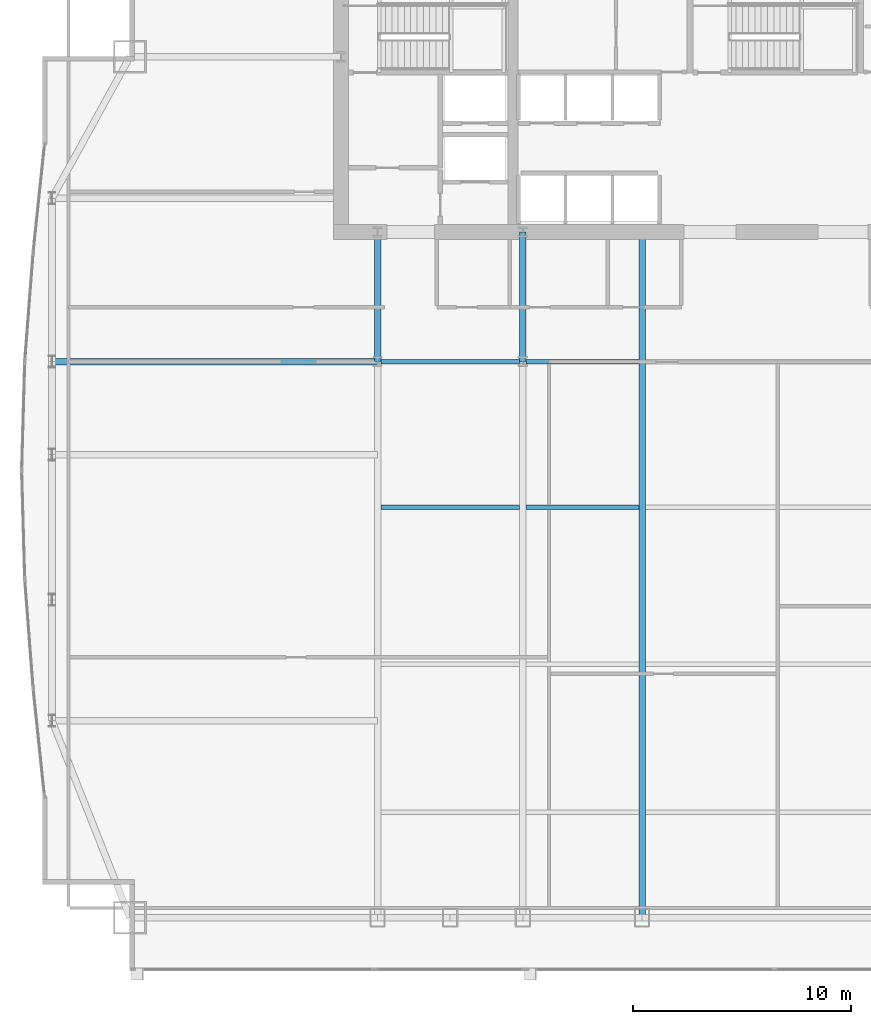
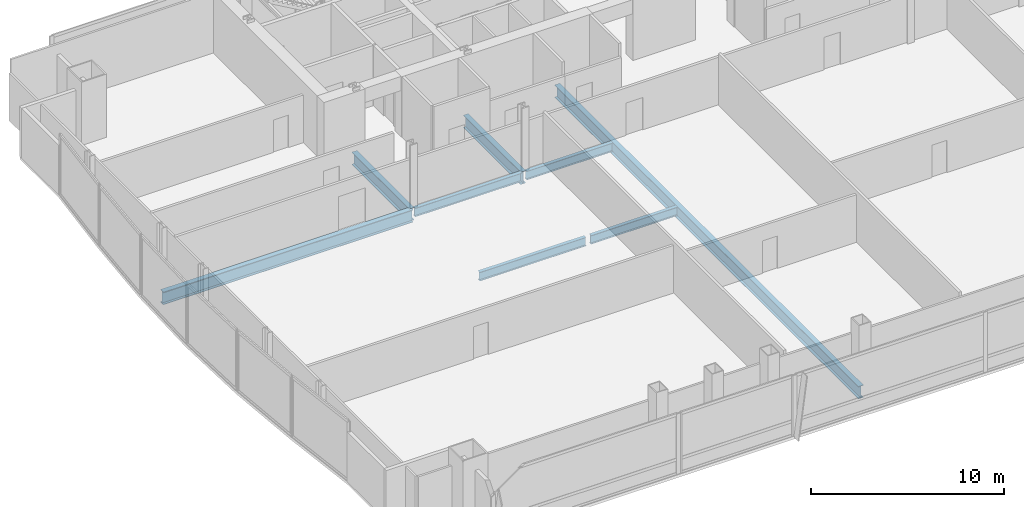
# One storey, part 12 of 30: 8 beams.
"""IFC4 building model written with IfcOpenShell, lengths in metres."""

from ifc_helpers import new_model, si_unit, direction, frame, origin, origin_2d, place, context, subcontext, project, spatial, i_section, extrude, material, material_profile, profile_set, type_object, element, save


model = new_model("IFC4")

# Units and contexts
model_context = context("Model", 3, precision=1e-05, world=origin(), true_north=direction((0.0, 1.0)))
body_context = subcontext(model_context, "Body", "Model", "MODEL_VIEW")
ifc_project = project(units=[si_unit("LENGTHUNIT", "METRE"), si_unit("AREAUNIT", "SQUARE_METRE"), si_unit("VOLUMEUNIT", "CUBIC_METRE"), si_unit("PLANEANGLEUNIT", "RADIAN"), si_unit("MASSUNIT", "GRAM", prefix="KILO")], contexts=[model_context])

# Site, building, storey
site_placement = place(None, origin())
site = spatial("IfcSite", under=ifc_project, at=site_placement, CompositionType="ELEMENT")
building_placement = place(site_placement, origin())
building = spatial("IfcBuilding", under=site, at=building_placement, Name="Khoronbel Lancet Exchange", CompositionType="ELEMENT")
storey_placement = place(building_placement, frame((0.0, 0.0, 98.60009765625)))
storey = spatial("IfcBuildingStorey", under=building, at=storey_placement, Name="L23", CompositionType="ELEMENT", Elevation=98.60009765625)

# Beams
ifc_material = material(Name="Steel S355", Category="steel")
ifc_material_profile_1 = material_profile(ifc_material, i_section(OverallWidth=0.300048828125, OverallDepth=0.800048828125, WebThickness=0.017578125, FlangeThickness=0.032958984375, at=origin_2d()), Name="HEB 800")
ifc_profile_set_1 = profile_set([ifc_material_profile_1], Name="Steel S355")
beam_type_1 = type_object("IfcBeamType", Name="BM-BG2", PredefinedType="BEAM", material=ifc_profile_set_1)
for number, where, z_axis, x_axis, name in (
    (1, (18.22509765625, 35.699951171875, -0.580078125), (0.0, 1.0, 0.0), (-1.0, 0.0, 0.0), "Level L23 spine tie girder GN1"),
    (2, (24.89990234375, 35.699951171875, -0.580078125), (0.0, 1.0, 0.0), (-1.0, 0.0, 0.0), "Level L23 spine tie girder GN2"),
):
    element("IfcBeam", number, at=place(storey_placement, frame(where, z_axis=z_axis, x_axis=x_axis)), inside=storey, type_object=beam_type_1, Name=name, PredefinedType="BEAM", context=body_context, shape_type="SweptSolid", body=[
        extrude(i_section(OverallWidth=0.300048828125, OverallDepth=0.800048828125, WebThickness=0.017578125, FlangeThickness=0.032958984375, at=origin_2d()), origin(), (0.0, 0.0, 1.0), 5.949951171875),
    ])
beam_1_placement = place(storey_placement, frame((30.375, 10.14990234375, -0.580078125), z_axis=(0.0, 1.0, 0.0), x_axis=(-1.0, 0.0, 0.0)))
element("IfcBeam", 3, at=beam_1_placement, inside=storey, type_object=beam_type_1, Name="Level L23 primary floor girder G3", PredefinedType="BEAM", context=body_context, shape_type="SweptSolid", body=[
    extrude(i_section(OverallWidth=0.300048828125, OverallDepth=0.800048828125, WebThickness=0.017578125, FlangeThickness=0.032958984375, at=origin_2d()), origin(), (0.0, 0.0, 1.0), 31.5),
])
beam_2_placement = place(storey_placement, frame((3.27001953125, 35.699951171875, -0.580078125), z_axis=(1.0, 0.0, 0.0), x_axis=(0.0, 1.0, 0.0)))
element("IfcBeam", 4, at=beam_2_placement, inside=storey, type_object=beam_type_1, Name="Level L23 west lens tie girder LG4W", PredefinedType="BEAM", context=body_context, shape_type="SweptSolid", body=[
    extrude(i_section(OverallWidth=0.300048828125, OverallDepth=0.800048828125, WebThickness=0.017578125, FlangeThickness=0.032958984375, at=origin_2d()), origin(), (0.0, 0.0, 1.0), 14.955078125),
])
ifc_material_profile_2 = material_profile(ifc_material, i_section(OverallWidth=0.2099609375, OverallDepth=0.550048828125, WebThickness=0.010986328125, FlangeThickness=0.01708984375, at=origin_2d()), Name="IPE 550")
ifc_profile_set_2 = profile_set([ifc_material_profile_2], Name="Steel S355")
beam_type_2 = type_object("IfcBeamType", Name="BM-BJ2", PredefinedType="JOIST", material=ifc_profile_set_2)
beam_3_placement = place(storey_placement, frame((18.375, 29.0, -0.455078125), z_axis=(1.0, 0.0, 0.0), x_axis=(0.0, 1.0, 0.0)))
element("IfcBeam", 5, at=beam_3_placement, inside=storey, type_object=beam_type_2, Name="Level L23 secondary composite joist J11", PredefinedType="JOIST", context=body_context, shape_type="SweptSolid", body=[
    extrude(i_section(OverallWidth=0.2099609375, OverallDepth=0.550048828125, WebThickness=0.010986328125, FlangeThickness=0.01708984375, at=origin_2d()), origin(), (0.0, 0.0, 1.0), 6.375),
])
beam_4_placement = place(storey_placement, frame((25.050048828125, 29.0, -0.455078125), z_axis=(1.0, 0.0, 0.0), x_axis=(0.0, 1.0, 0.0)))
element("IfcBeam", 6, at=beam_4_placement, inside=storey, type_object=beam_type_2, Name="Level L23 secondary composite joist J12", PredefinedType="JOIST", context=body_context, shape_type="SweptSolid", body=[
    extrude(i_section(OverallWidth=0.2099609375, OverallDepth=0.550048828125, WebThickness=0.010986328125, FlangeThickness=0.01708984375, at=origin_2d()), origin(), (0.0, 0.0, 1.0), 5.175048828125),
])
beam_5_placement = place(storey_placement, frame((18.375, 35.699951171875, -0.455078125), z_axis=(1.0, 0.0, 0.0), x_axis=(0.0, 1.0, 0.0)))
element("IfcBeam", 7, at=beam_5_placement, inside=storey, type_object=beam_type_2, Name="Level L23 secondary composite joist J16", PredefinedType="JOIST", context=body_context, shape_type="SweptSolid", body=[
    extrude(i_section(OverallWidth=0.2099609375, OverallDepth=0.550048828125, WebThickness=0.010986328125, FlangeThickness=0.01708984375, at=origin_2d()), origin(), (0.0, 0.0, 1.0), 6.375),
])
beam_6_placement = place(storey_placement, frame((25.050048828125, 35.699951171875, -0.455078125), z_axis=(1.0, 0.0, 0.0), x_axis=(0.0, 1.0, 0.0)))
element("IfcBeam", 8, at=beam_6_placement, inside=storey, type_object=beam_type_2, Name="Level L23 secondary composite joist J17", PredefinedType="JOIST", context=body_context, shape_type="SweptSolid", body=[
    extrude(i_section(OverallWidth=0.2099609375, OverallDepth=0.550048828125, WebThickness=0.010986328125, FlangeThickness=0.01708984375, at=origin_2d()), origin(), (0.0, 0.0, 1.0), 5.175048828125),
])

save(model, "model.ifc")
